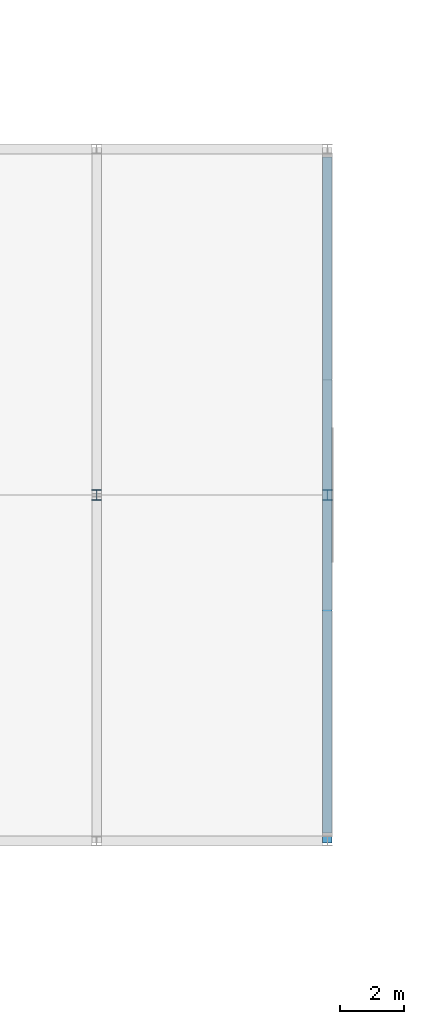
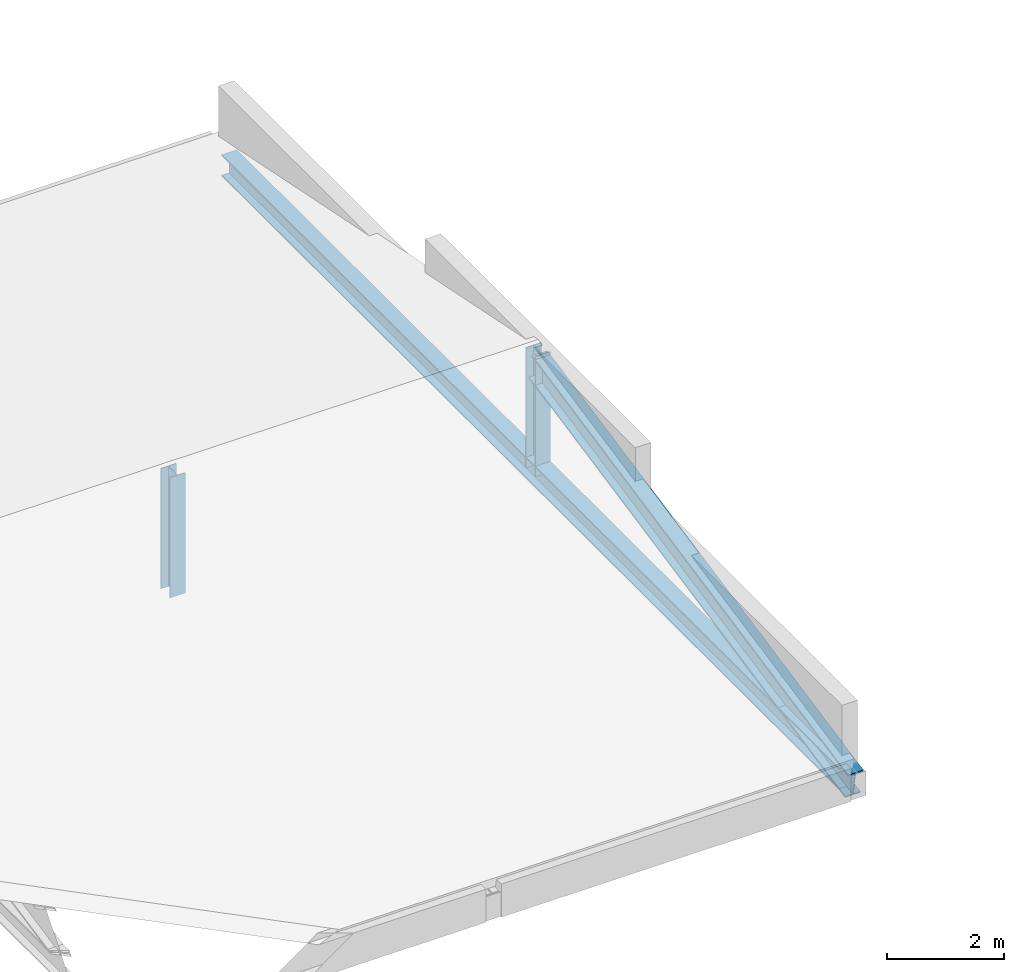
# One storey, part 37 of 103: 4 members.
"""IFC4 building model written with IfcOpenShell, lengths in metres."""

from ifc_helpers import new_model, si_unit, direction, frame, origin, origin_2d, place, context, subcontext, project, spatial, i_section, extrude, material, material_profile, profile_set, type_object, element, save


model = new_model("IFC4")

# Units and contexts
model_context = context("Model", 3, precision=1e-05, world=origin(), true_north=direction((0.0, 1.0)))
body_context = subcontext(model_context, "Body", "Model", "MODEL_VIEW")
ifc_project = project(units=[si_unit("LENGTHUNIT", "METRE"), si_unit("AREAUNIT", "SQUARE_METRE"), si_unit("VOLUMEUNIT", "CUBIC_METRE"), si_unit("PLANEANGLEUNIT", "RADIAN"), si_unit("MASSUNIT", "GRAM", prefix="KILO")], contexts=[model_context])

# Site, building, storey
site_placement = place(None, origin())
site = spatial("IfcSite", under=ifc_project, at=site_placement, CompositionType="ELEMENT")
building_placement = place(site_placement, origin())
building = spatial("IfcBuilding", under=site, at=building_placement, Name="Thalmaran Polytechnic", CompositionType="ELEMENT")
storey_placement = place(building_placement, frame((0.0, 0.0, 14.39990234375)))
storey = spatial("IfcBuildingStorey", under=building, at=storey_placement, Name="L03", CompositionType="ELEMENT", Elevation=14.39990234375)

# Members
ifc_material = material(Name="Steel S355", Category="steel")
ifc_material_profile_1 = material_profile(ifc_material, i_section(OverallWidth=0.300048828125, OverallDepth=0.449951171875, WebThickness=0.013916015625, FlangeThickness=0.02587890625, at=origin_2d()), Name="HEB 450")
ifc_profile_set_1 = profile_set([ifc_material_profile_1], Name="Steel S355")
member_type_1 = type_object("IfcMemberType", Name="MB-CHD1", PredefinedType="CHORD", material=ifc_profile_set_1)
member_1_placement = place(storey_placement, frame((72.0, 50.64990234375, 0.2001953125), z_axis=(0.0, 1.0, 0.0), x_axis=(-1.0, 0.0, 0.0)))
element("IfcMember", 1, at=member_1_placement, inside=storey, type_object=member_type_1, Name="Refectory Truss Bottom Tie G10", PredefinedType="CHORD", context=body_context, shape_type="SweptSolid", body=[
    extrude(i_section(OverallWidth=0.300048828125, OverallDepth=0.449951171875, WebThickness=0.013916015625, FlangeThickness=0.02587890625, at=origin_2d()), origin(), (0.0, 0.0, 1.0), 21.10009765625),
])
ifc_material_profile_2 = material_profile(ifc_material, i_section(OverallWidth=0.300048828125, OverallDepth=0.550048828125, WebThickness=0.014892578125, FlangeThickness=0.029052734375, at=origin_2d()), Name="HEB 550")
ifc_profile_set_2 = profile_set([ifc_material_profile_2], Name="Steel S355")
member_type_2 = type_object("IfcMemberType", Name="MB-RAF1", PredefinedType="RAFTER", material=ifc_profile_set_2)
member_2_placement = place(storey_placement, frame((72.0, 50.39990234375, 0.2001953125), z_axis=(0.0, 0.979925221211, 0.199365395278), x_axis=(-1.0, 0.0, 0.0)))
element("IfcMember", 2, at=member_2_placement, inside=storey, type_object=member_type_2, Name="Refectory Parasol Rafter G10-S", PredefinedType="RAFTER", context=body_context, shape_type="SweptSolid", body=[
    extrude(i_section(OverallWidth=0.300048828125, OverallDepth=0.550048828125, WebThickness=0.014892578125, FlangeThickness=0.029052734375, at=origin_2d()), origin(), (0.0, 0.0, 1.0), 11.021240234375),
])
ifc_material_profile_3 = material_profile(ifc_material, i_section(OverallWidth=0.300048828125, OverallDepth=0.330078125, WebThickness=0.009521484375, FlangeThickness=0.0166015625, at=origin_2d()), Name="HEA 340")
ifc_profile_set_3 = profile_set([ifc_material_profile_3], Name="Steel S355")
member_type_3 = type_object("IfcMemberType", Name="MB-TRS1", PredefinedType="STRUT", material=ifc_profile_set_3)
for number, where, z_axis, x_axis, name in (
    (3, (64.800048828125, 61.199951171875, 0.2001953125), (0.0, 0.0, 1.0), (1.0, 0.0, 0.0), "Refectory Truss Ridge Strut G09"),
    (4, (72.0, 61.199951171875, 0.2001953125), (0.0, 0.0, 1.0), (1.0, 0.0, 0.0), "Refectory Truss Ridge Strut G10"),
):
    element("IfcMember", number, at=place(storey_placement, frame(where, z_axis=z_axis, x_axis=x_axis)), inside=storey, type_object=member_type_3, Name=name, PredefinedType="STRUT", context=body_context, shape_type="SweptSolid", body=[
        extrude(i_section(OverallWidth=0.300048828125, OverallDepth=0.330078125, WebThickness=0.009521484375, FlangeThickness=0.0166015625, at=origin_2d()), origin(), (0.0, 0.0, 1.0), 2.507080078125),
    ])

save(model, "model.ifc")
